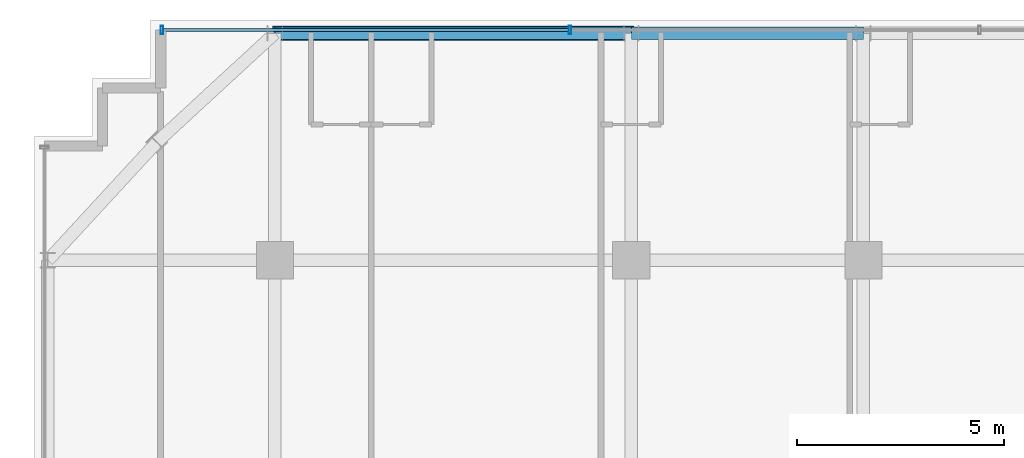
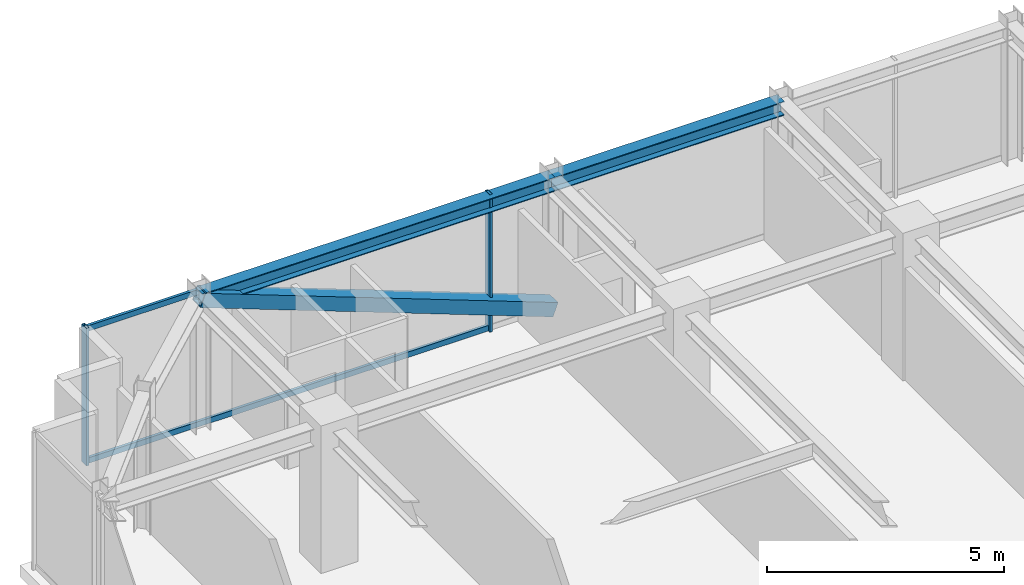
# One storey, part 24 of 37: 5 members, 2 beams, 1 element without a shape of its own.
"""IFC4 building model written with IfcOpenShell, lengths in metres."""

from ifc_helpers import new_model, si_unit, direction, frame, origin, origin_2d, place, context, subcontext, project, spatial, hollow_rectangle, i_section, extrude, source, transform, mapped, material, material_profile, profile_set, type_object, element, aggregate, save


model = new_model("IFC4")

# Units and contexts
model_context = context("Model", 3, precision=1e-05, world=origin(), true_north=direction((0.0, 1.0)))
body_context = subcontext(model_context, "Body", "Model", "MODEL_VIEW")
ifc_project = project(units=[si_unit("LENGTHUNIT", "METRE"), si_unit("AREAUNIT", "SQUARE_METRE"), si_unit("VOLUMEUNIT", "CUBIC_METRE"), si_unit("PLANEANGLEUNIT", "RADIAN"), si_unit("MASSUNIT", "GRAM", prefix="KILO")], contexts=[model_context])

# Site, building, storey
site_placement = place(None, origin())
site = spatial("IfcSite", under=ifc_project, at=site_placement, CompositionType="ELEMENT")
building_placement = place(site_placement, origin())
building = spatial("IfcBuilding", under=site, at=building_placement, Name="Nahalor Promenade Grand Hotel", CompositionType="ELEMENT")
storey_placement = place(building_placement, frame((0.0, 0.0, 292.64990234375)))
storey = spatial("IfcBuildingStorey", under=building, at=storey_placement, Name="L75", CompositionType="ELEMENT", Elevation=292.64990234375)

# Beams
ifc_material_1 = material(Name="Steel S355JR", Category="steel")
ifc_material_profile_1 = material_profile(ifc_material_1, i_section(OverallWidth=0.3, OverallDepth=0.36, WebThickness=0.0125, FlangeThickness=0.0225, at=origin_2d()), Name="HEB 360")
ifc_profile_set_1 = profile_set([ifc_material_profile_1], Name="Steel S355JR")
beam_type = type_object("IfcBeamType", Name="Beam-Spandrel-HEB360", PredefinedType="SPANDREL", material=ifc_profile_set_1)
shared_shape_1 = source(origin(), body_context, "Body", "SweptSolid", [
    extrude(i_section(OverallWidth=0.3, OverallDepth=0.36, WebThickness=0.0125, FlangeThickness=0.0225, at=origin_2d()), origin(), (0.0, 0.0, 1.0), 8.60009765625),
])
beam_1_placement = place(storey_placement, frame((-17.0, 22.47998046875, 3.3701171875), z_axis=(1.0, 0.0, 0.0), x_axis=(0.0, 1.0, 0.0)))
element("IfcBeam", 1, at=beam_1_placement, inside=storey, type_object=beam_type, Name="BM-L75-SP-N-0", PredefinedType="SPANDREL", context=body_context, shape_type="MappedRepresentation", body=[
    mapped(shared_shape_1, transform((0.0, 0.0, 0.0), scale=1.0)),
])
shared_shape_2 = source(origin(), body_context, "Body", "SweptSolid", [
    extrude(i_section(OverallWidth=0.3, OverallDepth=0.36, WebThickness=0.0125, FlangeThickness=0.0225, at=origin_2d()), origin(), (0.0, 0.0, 1.0), 5.599853515625),
])
beam_2_placement = place(storey_placement, frame((-8.39990234375, 22.47998046875, 3.3701171875), z_axis=(1.0, 0.0, 0.0), x_axis=(0.0, 1.0, 0.0)))
element("IfcBeam", 2, at=beam_2_placement, inside=storey, type_object=beam_type, Name="BM-L75-SP-N-1", PredefinedType="SPANDREL", context=body_context, shape_type="MappedRepresentation", body=[
    mapped(shared_shape_2, transform((0.0, 0.0, 0.0), scale=1.0)),
])

# Member
ifc_material_profile_2 = material_profile(ifc_material_1, hollow_rectangle(XDim=0.35, YDim=0.35, WallThickness=0.02, at=origin_2d()), Name="SHS 350x350x20")
ifc_profile_set_2 = profile_set([ifc_material_profile_2], Name="Steel S355JR")
member_type_1 = type_object("IfcMemberType", Name="Mem-VoidBrace-SHS350", PredefinedType="BRACE", material=ifc_profile_set_2)
shared_shape_3 = source(origin(), body_context, "Body", "SweptSolid", [
    extrude(hollow_rectangle(XDim=0.35, YDim=0.35, WallThickness=0.02, at=origin_2d()), origin(), (0.0, 0.0, 1.0), 9.193603515625),
])
member_1_placement = place(storey_placement, frame((-8.39990234375, 22.47998046875, 0.150146484375), z_axis=(-0.935433460247, 0.0, 0.353502816749), x_axis=(0.0, -1.0, 0.0)))
element("IfcMember", 3, at=member_1_placement, inside=storey, type_object=member_type_1, Name="EXO-L75-N-0", PredefinedType="BRACE", context=body_context, shape_type="MappedRepresentation", body=[
    mapped(shared_shape_3, transform((0.0, 0.0, 0.0), scale=1.0)),
])

# Curtain wall, members
ifc_material_2 = material(Name="Anodised Bronze Aluminium EN AW-6063 T6", Category="aluminium")
curtain_wall_type = type_object("IfcCurtainWallType", Name="CW3 Elliptical-Void Collar Unitised Curtain Wall", PredefinedType="USERDEFINED", material=ifc_material_2)
curtain_wall_placement = place(storey_placement, origin())
curtain_wall = element("IfcCurtainWall", 4, at=curtain_wall_placement, inside=storey, type_object=curtain_wall_type, Name="L75 Curtain Wall CW-L75-N-1", ObjectType="UNITISED_CURTAIN_WALL", PredefinedType="USERDEFINED")
ifc_material_profile_3 = material_profile(ifc_material_2, hollow_rectangle(XDim=0.07, YDim=0.14, WallThickness=0.004, at=origin_2d()), Name="CWT 70x140x4")
ifc_profile_set_3 = profile_set([ifc_material_profile_3], Name="Anodised Bronze Aluminium EN AW-6063 T6")
member_type_2 = type_object("IfcMemberType", Name="CWT3 Void Collar Transom 70x140", PredefinedType="USERDEFINED", material=ifc_profile_set_3)
shared_shape_4 = source(origin(), body_context, "Body", "SweptSolid", [
    extrude(hollow_rectangle(XDim=0.07, YDim=0.14, WallThickness=0.004, at=origin_2d()), origin(), (0.0, 0.0, 1.0), 9.77490234375),
])
member_2_placement = place(storey_placement, frame((-19.68994140625, 22.56005859375, 0.070068359375), z_axis=(1.0, 0.0, 0.0), x_axis=(0.0, 1.0, 0.0)))
member_2 = element("IfcMember", 5, at=member_2_placement, type_object=member_type_2, Name="CW-L75-N-1 Transom 0-0", ObjectType="TRANSOM", PredefinedType="USERDEFINED", context=body_context, shape_type="MappedRepresentation", body=[
    mapped(shared_shape_4, transform((0.0, 0.0, 0.0), scale=1.0)),
])
member_3_placement = place(storey_placement, frame((-19.68994140625, 22.56005859375, 3.47998046875), z_axis=(1.0, 0.0, 0.0), x_axis=(0.0, 1.0, 0.0)))
member_3 = element("IfcMember", 6, at=member_3_placement, type_object=member_type_2, Name="CW-L75-N-1 Transom 0-1", ObjectType="TRANSOM", PredefinedType="USERDEFINED", context=body_context, shape_type="MappedRepresentation", body=[
    mapped(shared_shape_4, transform((0.0, 0.0, 0.0), scale=1.0)),
])
ifc_material_profile_4 = material_profile(ifc_material_2, hollow_rectangle(XDim=0.07, YDim=0.2, WallThickness=0.005, at=origin_2d()), Name="CWM 70x200x5")
ifc_profile_set_4 = profile_set([ifc_material_profile_4], Name="Anodised Bronze Aluminium EN AW-6063 T6")
member_type_3 = type_object("IfcMemberType", Name="CWM3 Void Collar Mullion 70x200", PredefinedType="MULLION", material=ifc_profile_set_4)
shared_shape_5 = source(origin(), body_context, "Body", "SweptSolid", [
    extrude(hollow_rectangle(XDim=0.07, YDim=0.2, WallThickness=0.005, at=origin_2d()), origin(), (0.0, 0.0, 1.0), 3.550048828125),
])
member_4_placement = place(storey_placement, frame((-19.72509765625, 22.56005859375, 0.0), z_axis=(0.0, 0.0, 1.0), x_axis=(1.0, 0.0, 0.0)))
member_4 = element("IfcMember", 7, at=member_4_placement, type_object=member_type_3, Name="CW-L75-N-1 Mullion 0", PredefinedType="MULLION", context=body_context, shape_type="MappedRepresentation", body=[
    mapped(shared_shape_5, transform((0.0, 0.0, 0.0), scale=1.0)),
])
member_5_placement = place(storey_placement, frame((-9.8798828125, 22.56005859375, 0.0), z_axis=(0.0, 0.0, 1.0), x_axis=(1.0, 0.0, 0.0)))
member_5 = element("IfcMember", 8, at=member_5_placement, type_object=member_type_3, Name="CW-L75-N-1 Mullion 1", PredefinedType="MULLION", context=body_context, shape_type="MappedRepresentation", body=[
    mapped(shared_shape_5, transform((0.0, 0.0, 0.0), scale=1.0)),
])
aggregate(curtain_wall, [member_4, member_5, member_2, member_3])

save(model, "model.ifc")
